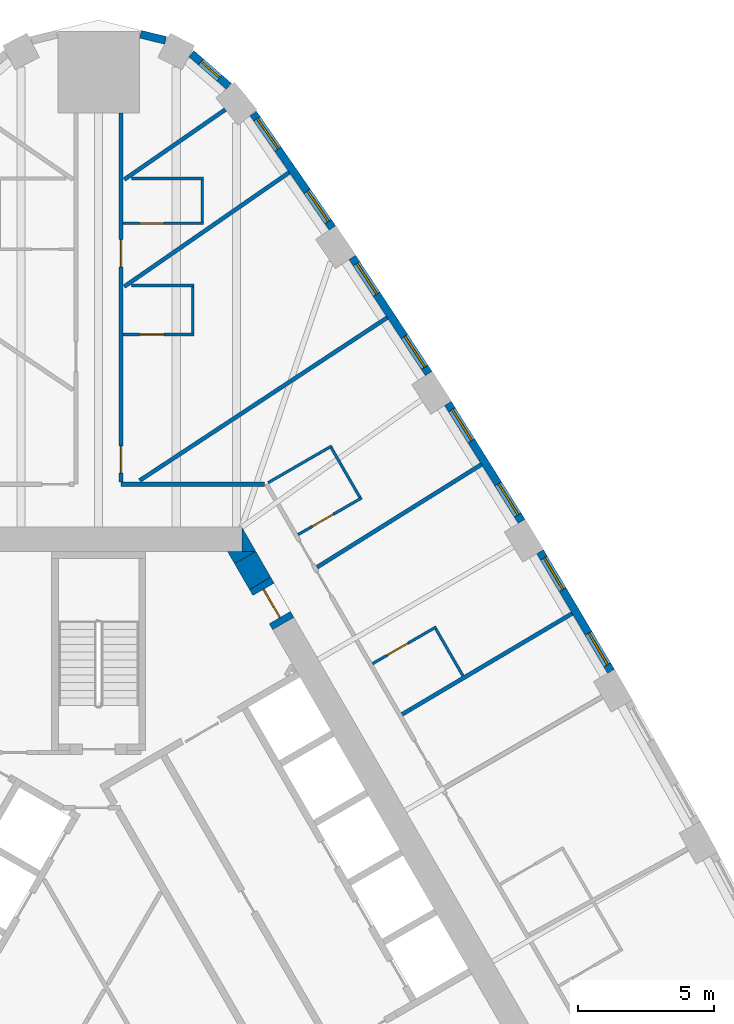
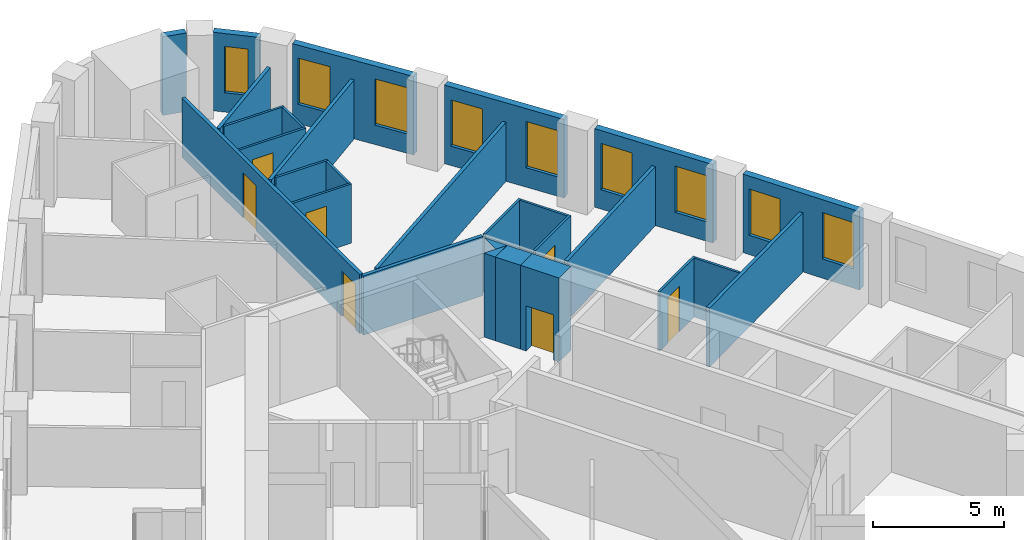
# One storey, part 11 of 13: 28 walls, 9 windows, 7 doors, 16 openings.
"""IFC4 building model written with IfcOpenShell, lengths in metres."""

from ifc_helpers import new_model, si_unit, direction, frame, frame_2d, origin, place, context, subcontext, project, spatial, polyline, rectangle, outline, extrude, material, layer, layer_set, type_object, element, fill, save


model = new_model("IFC4")

# Units and contexts
model_context = context("Model", 3, precision=1e-05, world=origin(), true_north=direction((0.0, 1.0)))
body_context = subcontext(model_context, "Body", "Model", "MODEL_VIEW")
ifc_project = project(units=[si_unit("LENGTHUNIT", "METRE"), si_unit("AREAUNIT", "SQUARE_METRE"), si_unit("VOLUMEUNIT", "CUBIC_METRE"), si_unit("PLANEANGLEUNIT", "RADIAN"), si_unit("MASSUNIT", "GRAM", prefix="KILO")], contexts=[model_context])

# Site, building, storey
site_placement = place(None, origin())
site = spatial("IfcSite", under=ifc_project, at=site_placement, CompositionType="ELEMENT")
building_placement = place(site_placement, origin())
building = spatial("IfcBuilding", under=site, at=building_placement, Name="Mestral Congress Tower", CompositionType="ELEMENT")
storey_placement = place(building_placement, frame((0.0, 0.0, 114.89990234375)))
storey = spatial("IfcBuildingStorey", under=building, at=storey_placement, Name="L27", CompositionType="ELEMENT", Elevation=114.89990234375)

# Walls
ifc_material_1 = material(Name="Concrete C60/75", Category="concrete")
ifc_layer_1 = layer(ifc_material_1, 0.89990234375)
ifc_layer_set_1 = layer_set([ifc_layer_1], Name="Concrete C60/75")
wall_type_1 = type_object("IfcWallType", Name="Core wall RC 900", PredefinedType="SOLIDWALL", material=ifc_layer_set_1)
placement = place(storey_placement, origin())
element("IfcWall", 1, at=placement, inside=storey, type_object=wall_type_1, Name="L27 core wall", PredefinedType="SOLIDWALL", context=body_context, shape_type="SweptSolid", body=[
    extrude(outline(polyline([(5.265380859375, 16.0), (5.265380859375, 16.8798828125), (5.7734375, 16.0), (5.265380859375, 16.0)])), origin(), (0.0, 0.0, 1.0), 3.900146484375),
])
wall_2_placement = place(storey_placement, frame((5.92578125, 14.836181640625, 0.0), z_axis=(0.0, 0.0, 1.0), x_axis=(-0.500076735116, 0.865981096212, 0.0)))
element("IfcWall", 2, at=wall_2_placement, inside=storey, type_object=wall_type_1, Name="L27 core wall", PredefinedType="SOLIDWALL", context=body_context, shape_type="SweptSolid", body=[
    extrude(rectangle(XDim=1.093505859375, YDim=0.89990234375, at=frame_2d((0.546875, 0.0))), origin(), (0.0, 0.0, 1.0), 3.900146484375),
])
element("IfcWall", 3, at=placement, inside=storey, type_object=wall_type_1, Name="L27 core wall", PredefinedType="SOLIDWALL", context=body_context, shape_type="SweptSolid", body=[
    extrude(outline(polyline([(4.734375, 16.0), (5.750244140625, 16.0), (4.98828125, 15.56005859375), (4.734375, 16.0)])), origin(), (0.0, 0.0, 1.0), 3.900146484375),
])

# Wall, opening, door
wall_4_placement = place(storey_placement, frame((5.92578125, 14.836181640625, 0.0), z_axis=(0.0, 0.0, 1.0), x_axis=(0.500062241894, -0.865989465428, 0.0)))
wall_4 = element("IfcWall", 4, at=wall_4_placement, inside=storey, type_object=wall_type_1, Name="L27 door wall", PredefinedType="SOLIDWALL", context=body_context, shape_type="SweptSolid", body=[
    extrude(rectangle(XDim=1.699951171875, YDim=0.89990234375, at=frame_2d((0.85009765625, 0.0))), origin(), (0.0, 0.0, 1.0), 3.900146484375),
])
opening_1_placement = place(wall_4_placement, frame((0.25, 0.0, 0.0)))
opening_1 = element("IfcOpeningElement", 5, at=opening_1_placement, cuts=wall_4, Name="Opening XD2", PredefinedType="OPENING", context=body_context, shape_type="SweptSolid", body=[
    extrude(rectangle(XDim=1.199951171875, YDim=2.10009765625, at=frame_2d((0.60009765625, 1.050048828125))), frame((0.0, 0.4599609375, 0.0), z_axis=(0.0, -1.0, 0.0), x_axis=(1.0, 0.0, 0.0)), (0.0, 0.0, 1.0), 0.919921875),
])
ifc_material_2 = material(Name="Fire-rated steel door set", Category="steel")
door_type_1 = type_object("IfcDoorType", Name="Core door XD 1200x2100", OperationType="SINGLE_SWING_LEFT", PredefinedType="DOOR", material=ifc_material_2)
door_1_placement = place(opening_1_placement, origin())
door_1 = element("IfcDoor", 6, at=door_1_placement, inside=storey, type_object=door_type_1, Name="Door XD2", OperationType="SINGLE_SWING_LEFT", OverallHeight=2.10009765625, OverallWidth=1.199951171875, PredefinedType="DOOR", context=body_context, shape_type="SweptSolid", body=[
    extrude(rectangle(XDim=1.199951171875, YDim=2.10009765625, at=frame_2d((0.60009765625, 1.050048828125))), frame((0.0, 0.02490234375, 0.0), z_axis=(0.0, -1.0, 0.0), x_axis=(1.0, 0.0, 0.0)), (0.0, 0.0, 1.0), 0.050048828125),
])
fill(opening_1, door_1)

# Wall, openings, windows
ifc_material_3 = material(Name="Precast concrete C40/50 with limestone facing", Category="masonry")
ifc_layer_2 = layer(ifc_material_3, 0.2900390625)
ifc_layer_set_2 = layer_set([ifc_layer_2], Name="Precast concrete C40/50 with limestone facing")
wall_type_2 = type_object("IfcWallType", Name="Facade stone wall 290", PredefinedType="SOLIDWALL", material=ifc_layer_set_2)
wall_5_placement = place(storey_placement, frame((18.8046875, 11.611083984375, 0.0), z_axis=(0.0, 0.0, 1.0), x_axis=(-0.510054281659, 0.860142214847, 0.0)))
wall_5 = element("IfcWall", 7, at=wall_5_placement, inside=storey, type_object=wall_type_2, Name="Facade wall F1-04", PredefinedType="SOLIDWALL", context=body_context, shape_type="SweptSolid", body=[
    extrude(rectangle(XDim=5.1005859375, YDim=0.2900390625, at=frame_2d((2.55029296875, 0.0))), origin(), (0.0, 0.0, 1.0), 3.650146484375),
])
opening_2_placement = place(wall_5_placement, frame((0.272705078125, 0.0, 0.89990234375)))
opening_2 = element("IfcOpeningElement", 8, at=opening_2_placement, cuts=wall_5, Name="Opening W2", PredefinedType="OPENING", context=body_context, shape_type="SweptSolid", body=[
    extrude(rectangle(XDim=1.35009765625, YDim=2.14990234375, at=frame_2d((0.675048828125, 1.074951171875))), frame((0.0, 0.155029296875, 0.0), z_axis=(0.0, -1.0, 0.0), x_axis=(1.0, 0.0, 0.0)), (0.0, 0.0, 1.0), 0.31005859375),
])
opening_3_placement = place(wall_5_placement, frame((3.477783203125, 0.0, 0.89990234375)))
opening_3 = element("IfcOpeningElement", 9, at=opening_3_placement, cuts=wall_5, Name="Opening W2", PredefinedType="OPENING", context=body_context, shape_type="SweptSolid", body=[
    extrude(rectangle(XDim=1.35009765625, YDim=2.14990234375, at=frame_2d((0.675048828125, 1.074951171875))), frame((0.0, 0.155029296875, 0.0), z_axis=(0.0, -1.0, 0.0), x_axis=(1.0, 0.0, 0.0)), (0.0, 0.0, 1.0), 0.31005859375),
])
ifc_material_4 = material(Name="Clear low-emissivity double glazing", Category="glass")
window_type_1 = type_object("IfcWindowType", Name="Facade punched window 1350 x 2150 sill 900", PartitioningType="DOUBLE_PANEL_VERTICAL", PredefinedType="WINDOW", material=ifc_material_4)
window_1_placement = place(opening_2_placement, origin())
window_1 = element("IfcWindow", 10, at=window_1_placement, inside=storey, type_object=window_type_1, Name="Window F1-04a", OverallHeight=2.14990234375, OverallWidth=1.35009765625, PartitioningType="DOUBLE_PANEL_VERTICAL", PredefinedType="WINDOW", context=body_context, shape_type="SweptSolid", body=[
    extrude(rectangle(XDim=1.35009765625, YDim=2.14990234375, at=frame_2d((0.675048828125, 1.074951171875))), frame((0.0, 0.01513671875, 0.0), z_axis=(0.0, -1.0, 0.0), x_axis=(1.0, 0.0, 0.0)), (0.0, 0.0, 1.0), 0.06005859375),
])
fill(opening_2, window_1)
window_2_placement = place(opening_3_placement, origin())
window_2 = element("IfcWindow", 11, at=window_2_placement, inside=storey, type_object=window_type_1, Name="Window F1-04b", OverallHeight=2.14990234375, OverallWidth=1.35009765625, PartitioningType="DOUBLE_PANEL_VERTICAL", PredefinedType="WINDOW", context=body_context, shape_type="SweptSolid", body=[
    extrude(rectangle(XDim=1.35009765625, YDim=2.14990234375, at=frame_2d((0.675048828125, 1.074951171875))), frame((0.0, 0.01513671875, 0.0), z_axis=(0.0, -1.0, 0.0), x_axis=(1.0, 0.0, 0.0)), (0.0, 0.0, 1.0), 0.06005859375),
])
fill(opening_3, window_2)

wall_6_placement = place(storey_placement, frame((15.523681640625, 17.114013671875, 0.0), z_axis=(0.0, 0.0, 1.0), x_axis=(-0.530072082134, 0.847952585787, 0.0)))
wall_6 = element("IfcWall", 12, at=wall_6_placement, inside=storey, type_object=wall_type_2, Name="Facade wall F1-05", PredefinedType="SOLIDWALL", context=body_context, shape_type="SweptSolid", body=[
    extrude(rectangle(XDim=5.100341796875, YDim=0.2900390625, at=frame_2d((2.55029296875, 0.0))), origin(), (0.0, 0.0, 1.0), 3.650146484375),
])
opening_4_placement = place(wall_6_placement, frame((0.272705078125, 0.0, 0.89990234375)))
opening_4 = element("IfcOpeningElement", 13, at=opening_4_placement, cuts=wall_6, Name="Opening W2", PredefinedType="OPENING", context=body_context, shape_type="SweptSolid", body=[
    extrude(rectangle(XDim=1.35009765625, YDim=2.14990234375, at=frame_2d((0.675048828125, 1.074951171875))), frame((0.0, 0.155029296875, 0.0), z_axis=(0.0, -1.0, 0.0), x_axis=(1.0, 0.0, 0.0)), (0.0, 0.0, 1.0), 0.31005859375),
])
opening_5_placement = place(wall_6_placement, frame((3.477783203125, 0.0, 0.89990234375)))
opening_5 = element("IfcOpeningElement", 14, at=opening_5_placement, cuts=wall_6, Name="Opening W2", PredefinedType="OPENING", context=body_context, shape_type="SweptSolid", body=[
    extrude(rectangle(XDim=1.35009765625, YDim=2.14990234375, at=frame_2d((0.675048828125, 1.074951171875))), frame((0.0, 0.155029296875, 0.0), z_axis=(0.0, -1.0, 0.0), x_axis=(1.0, 0.0, 0.0)), (0.0, 0.0, 1.0), 0.31005859375),
])
window_3_placement = place(opening_4_placement, origin())
window_3 = element("IfcWindow", 15, at=window_3_placement, inside=storey, type_object=window_type_1, Name="Window F1-05a", OverallHeight=2.14990234375, OverallWidth=1.35009765625, PartitioningType="DOUBLE_PANEL_VERTICAL", PredefinedType="WINDOW", context=body_context, shape_type="SweptSolid", body=[
    extrude(rectangle(XDim=1.35009765625, YDim=2.14990234375, at=frame_2d((0.675048828125, 1.074951171875))), frame((0.0, 0.01513671875, 0.0), z_axis=(0.0, -1.0, 0.0), x_axis=(1.0, 0.0, 0.0)), (0.0, 0.0, 1.0), 0.06005859375),
])
fill(opening_4, window_3)
window_4_placement = place(opening_5_placement, origin())
window_4 = element("IfcWindow", 16, at=window_4_placement, inside=storey, type_object=window_type_1, Name="Window F1-05b", OverallHeight=2.14990234375, OverallWidth=1.35009765625, PartitioningType="DOUBLE_PANEL_VERTICAL", PredefinedType="WINDOW", context=body_context, shape_type="SweptSolid", body=[
    extrude(rectangle(XDim=1.35009765625, YDim=2.14990234375, at=frame_2d((0.675048828125, 1.074951171875))), frame((0.0, 0.01513671875, 0.0), z_axis=(0.0, -1.0, 0.0), x_axis=(1.0, 0.0, 0.0)), (0.0, 0.0, 1.0), 0.06005859375),
])
fill(opening_5, window_4)

wall_7_placement = place(storey_placement, frame((12.114501953125, 22.538818359375, 0.0), z_axis=(0.0, 0.0, 1.0), x_axis=(-0.549741341923, 0.835334937005, 0.0)))
wall_7 = element("IfcWall", 17, at=wall_7_placement, inside=storey, type_object=wall_type_2, Name="Facade wall F1-06", PredefinedType="SOLIDWALL", context=body_context, shape_type="SweptSolid", body=[
    extrude(rectangle(XDim=5.10009765625, YDim=0.2900390625, at=frame_2d((2.550048828125, 0.0))), origin(), (0.0, 0.0, 1.0), 3.650146484375),
])
opening_6_placement = place(wall_7_placement, frame((0.272705078125, 0.0, 0.89990234375)))
opening_6 = element("IfcOpeningElement", 18, at=opening_6_placement, cuts=wall_7, Name="Opening W2", PredefinedType="OPENING", context=body_context, shape_type="SweptSolid", body=[
    extrude(rectangle(XDim=1.35009765625, YDim=2.14990234375, at=frame_2d((0.675048828125, 1.074951171875))), frame((0.0, 0.155029296875, 0.0), z_axis=(0.0, -1.0, 0.0), x_axis=(1.0, 0.0, 0.0)), (0.0, 0.0, 1.0), 0.31005859375),
])
opening_7_placement = place(wall_7_placement, frame((3.477783203125, 0.0, 0.89990234375)))
opening_7 = element("IfcOpeningElement", 19, at=opening_7_placement, cuts=wall_7, Name="Opening W2", PredefinedType="OPENING", context=body_context, shape_type="SweptSolid", body=[
    extrude(rectangle(XDim=1.35009765625, YDim=2.14990234375, at=frame_2d((0.675048828125, 1.074951171875))), frame((0.0, 0.155029296875, 0.0), z_axis=(0.0, -1.0, 0.0), x_axis=(1.0, 0.0, 0.0)), (0.0, 0.0, 1.0), 0.31005859375),
])
window_5_placement = place(opening_6_placement, origin())
window_5 = element("IfcWindow", 20, at=window_5_placement, inside=storey, type_object=window_type_1, Name="Window F1-06a", OverallHeight=2.14990234375, OverallWidth=1.35009765625, PartitioningType="DOUBLE_PANEL_VERTICAL", PredefinedType="WINDOW", context=body_context, shape_type="SweptSolid", body=[
    extrude(rectangle(XDim=1.35009765625, YDim=2.14990234375, at=frame_2d((0.675048828125, 1.074951171875))), frame((0.0, 0.01513671875, 0.0), z_axis=(0.0, -1.0, 0.0), x_axis=(1.0, 0.0, 0.0)), (0.0, 0.0, 1.0), 0.06005859375),
])
fill(opening_6, window_5)
window_6_placement = place(opening_7_placement, origin())
window_6 = element("IfcWindow", 21, at=window_6_placement, inside=storey, type_object=window_type_1, Name="Window F1-06b", OverallHeight=2.14990234375, OverallWidth=1.35009765625, PartitioningType="DOUBLE_PANEL_VERTICAL", PredefinedType="WINDOW", context=body_context, shape_type="SweptSolid", body=[
    extrude(rectangle(XDim=1.35009765625, YDim=2.14990234375, at=frame_2d((0.675048828125, 1.074951171875))), frame((0.0, 0.01513671875, 0.0), z_axis=(0.0, -1.0, 0.0), x_axis=(1.0, 0.0, 0.0)), (0.0, 0.0, 1.0), 0.06005859375),
])
fill(opening_7, window_6)

wall_8_placement = place(storey_placement, frame((8.57958984375, 27.882080078125, 0.0), z_axis=(0.0, 0.0, 1.0), x_axis=(-0.569113019126, 0.822259309136, 0.0)))
wall_8 = element("IfcWall", 22, at=wall_8_placement, inside=storey, type_object=wall_type_2, Name="Facade wall F1-07", PredefinedType="SOLIDWALL", context=body_context, shape_type="SweptSolid", body=[
    extrude(rectangle(XDim=5.106689453125, YDim=0.2900390625, at=frame_2d((2.55322265625, 0.0))), origin(), (0.0, 0.0, 1.0), 3.650146484375),
])
opening_8_placement = place(wall_8_placement, frame((0.285400390625, 0.0, 0.89990234375)))
opening_8 = element("IfcOpeningElement", 23, at=opening_8_placement, cuts=wall_8, Name="Opening W2", PredefinedType="OPENING", context=body_context, shape_type="SweptSolid", body=[
    extrude(rectangle(XDim=1.35009765625, YDim=2.14990234375, at=frame_2d((0.675048828125, 1.074951171875))), frame((0.0, 0.155029296875, 0.0), z_axis=(0.0, -1.0, 0.0), x_axis=(1.0, 0.0, 0.0)), (0.0, 0.0, 1.0), 0.31005859375),
])
opening_9_placement = place(wall_8_placement, frame((3.516357421875, 0.0, 0.89990234375)))
opening_9 = element("IfcOpeningElement", 24, at=opening_9_placement, cuts=wall_8, Name="Opening W2", PredefinedType="OPENING", context=body_context, shape_type="SweptSolid", body=[
    extrude(rectangle(XDim=1.35009765625, YDim=2.14990234375, at=frame_2d((0.675048828125, 1.074951171875))), frame((0.0, 0.155029296875, 0.0), z_axis=(0.0, -1.0, 0.0), x_axis=(1.0, 0.0, 0.0)), (0.0, 0.0, 1.0), 0.31005859375),
])
window_7_placement = place(opening_8_placement, origin())
window_7 = element("IfcWindow", 25, at=window_7_placement, inside=storey, type_object=window_type_1, Name="Window F1-07a", OverallHeight=2.14990234375, OverallWidth=1.35009765625, PartitioningType="DOUBLE_PANEL_VERTICAL", PredefinedType="WINDOW", context=body_context, shape_type="SweptSolid", body=[
    extrude(rectangle(XDim=1.35009765625, YDim=2.14990234375, at=frame_2d((0.675048828125, 1.074951171875))), frame((0.0, 0.01513671875, 0.0), z_axis=(0.0, -1.0, 0.0), x_axis=(1.0, 0.0, 0.0)), (0.0, 0.0, 1.0), 0.06005859375),
])
fill(opening_8, window_7)
window_8_placement = place(opening_9_placement, origin())
window_8 = element("IfcWindow", 26, at=window_8_placement, inside=storey, type_object=window_type_1, Name="Window F1-07b", OverallHeight=2.14990234375, OverallWidth=1.35009765625, PartitioningType="DOUBLE_PANEL_VERTICAL", PredefinedType="WINDOW", context=body_context, shape_type="SweptSolid", body=[
    extrude(rectangle(XDim=1.35009765625, YDim=2.14990234375, at=frame_2d((0.675048828125, 1.074951171875))), frame((0.0, 0.01513671875, 0.0), z_axis=(0.0, -1.0, 0.0), x_axis=(1.0, 0.0, 0.0)), (0.0, 0.0, 1.0), 0.06005859375),
])
fill(opening_9, window_8)

# Wall, opening, window
wall_9_placement = place(storey_placement, frame((4.778076171875, 33.08203125, 0.0), z_axis=(0.0, 0.0, 1.0), x_axis=(-0.754882764627, 0.655859749999, 0.0)))
wall_9 = element("IfcWall", 27, at=wall_9_placement, inside=storey, type_object=wall_type_2, Name="Facade wall K1-0", PredefinedType="SOLIDWALL", context=body_context, shape_type="SweptSolid", body=[
    extrude(rectangle(XDim=1.819580078125, YDim=0.2900390625, at=frame_2d((0.90966796875, 0.0))), origin(), (0.0, 0.0, 1.0), 3.650146484375),
])
opening_10_placement = place(wall_9_placement, frame((0.459716796875, 0.0, 0.89990234375)))
opening_10 = element("IfcOpeningElement", 28, at=opening_10_placement, cuts=wall_9, Name="Opening W3", PredefinedType="OPENING", context=body_context, shape_type="SweptSolid", body=[
    extrude(rectangle(XDim=0.89990234375, YDim=2.14990234375, at=frame_2d((0.449951171875, 1.074951171875))), frame((0.0, 0.155029296875, 0.0), z_axis=(0.0, -1.0, 0.0), x_axis=(1.0, 0.0, 0.0)), (0.0, 0.0, 1.0), 0.31005859375),
])
window_type_2 = type_object("IfcWindowType", Name="Facade punched window 900 x 2150 sill 900", PartitioningType="SINGLE_PANEL", PredefinedType="WINDOW", material=ifc_material_4)
window_9_placement = place(opening_10_placement, origin())
window_9 = element("IfcWindow", 29, at=window_9_placement, inside=storey, type_object=window_type_2, Name="Window K1-0", OverallHeight=2.14990234375, OverallWidth=0.89990234375, PartitioningType="SINGLE_PANEL", PredefinedType="WINDOW", context=body_context, shape_type="SweptSolid", body=[
    extrude(rectangle(XDim=0.89990234375, YDim=2.14990234375, at=frame_2d((0.449951171875, 1.074951171875))), frame((0.0, 0.01513671875, 0.0), z_axis=(0.0, -1.0, 0.0), x_axis=(1.0, 0.0, 0.0)), (0.0, 0.0, 1.0), 0.06005859375),
])
fill(opening_10, window_9)

# Wall
wall_10_placement = place(storey_placement, frame((2.455322265625, 34.765625, 0.0), z_axis=(0.0, 0.0, 1.0), x_axis=(-0.971713991574, 0.236160789674, 0.0)))
element("IfcWall", 30, at=wall_10_placement, inside=storey, type_object=wall_type_2, Name="Facade wall K1-1", PredefinedType="SOLIDWALL", context=body_context, shape_type="SweptSolid", body=[
    extrude(rectangle(XDim=0.947021484375, YDim=0.2900390625, at=frame_2d((0.4736328125, 0.0))), origin(), (0.0, 0.0, 1.0), 3.650146484375),
])

# Wall, opening, door
ifc_material_5 = material(Name="Gypsum board partition on metal studs with mineral wool", Category="composite")
ifc_layer_3 = layer(ifc_material_5, 0.10009765625)
ifc_layer_set_3 = layer_set([ifc_layer_3], Name="Gypsum board partition on metal studs with mineral wool")
wall_type_3 = type_object("IfcWallType", Name="Hotel partition wall 100", PredefinedType="PARTITIONING", material=ifc_layer_set_3)
wall_11_placement = place(storey_placement, frame((12.390380859375, 13.239013671875, 0.0), z_axis=(0.0, 0.0, 1.0), x_axis=(-0.866036505625, -0.499980770555, 0.0)))
wall_11 = element("IfcWall", 31, at=wall_11_placement, inside=storey, type_object=wall_type_3, Name="L27-h-pod13a", PredefinedType="PARTITIONING", context=body_context, shape_type="SweptSolid", body=[
    extrude(rectangle(XDim=2.69970703125, YDim=0.10009765625, at=frame_2d((1.349853515625, 0.0))), origin(), (0.0, 0.0, 1.0), 2.75),
])
opening_11_placement = place(wall_11_placement, frame((1.199951171875, 0.0, 0.0)))
opening_11 = element("IfcOpeningElement", 32, at=opening_11_placement, cuts=wall_11, Name="Opening H08-022", PredefinedType="OPENING", context=body_context, shape_type="SweptSolid", body=[
    extrude(rectangle(XDim=0.89990234375, YDim=2.10009765625, at=frame_2d((0.449951171875, 1.050048828125))), frame((0.0, 0.06005859375, 0.0), z_axis=(0.0, -1.0, 0.0), x_axis=(1.0, 0.0, 0.0)), (0.0, 0.0, 1.0), 0.1201171875),
])
ifc_material_6 = material(Name="Timber veneer door leaf in timber frame", Category="wood")
door_type_2 = type_object("IfcDoorType", Name="Bathroom door 900", OperationType="SINGLE_SWING_LEFT", PredefinedType="DOOR", material=ifc_material_6)
door_2_placement = place(opening_11_placement, origin())
door_2 = element("IfcDoor", 33, at=door_2_placement, inside=storey, type_object=door_type_2, Name="L27-h-d022", OperationType="SINGLE_SWING_LEFT", OverallHeight=2.10009765625, OverallWidth=0.89990234375, PredefinedType="DOOR", context=body_context, shape_type="SweptSolid", body=[
    extrude(rectangle(XDim=0.89990234375, YDim=2.10009765625, at=frame_2d((0.449951171875, 1.050048828125))), frame((0.0, 0.02490234375, 0.0), z_axis=(0.0, -1.0, 0.0), x_axis=(1.0, 0.0, 0.0)), (0.0, 0.0, 1.0), 0.050048828125),
])
fill(opening_11, door_2)

# Wall
wall_12_placement = place(storey_placement, frame((12.3720703125, 13.1708984375, 0.0), z_axis=(0.0, 0.0, 1.0), x_axis=(0.500044573643, -0.86599966765, 0.0)))
element("IfcWall", 34, at=wall_12_placement, inside=storey, type_object=wall_type_3, Name="L27-h-pod13b", PredefinedType="PARTITIONING", context=body_context, shape_type="SweptSolid", body=[
    extrude(rectangle(XDim=1.989990234375, YDim=0.10009765625, at=frame_2d((0.9951171875, 0.0))), origin(), (0.0, 0.0, 1.0), 2.75),
])

# Wall, opening, door
wall_13_placement = place(storey_placement, frame((7.318115234375, 16.62451171875, 0.0), z_axis=(0.0, 0.0, 1.0), x_axis=(0.866019956843, 0.50000943426, 0.0)))
wall_13 = element("IfcWall", 35, at=wall_13_placement, inside=storey, type_object=wall_type_3, Name="L27-h-pod14a", PredefinedType="PARTITIONING", context=body_context, shape_type="SweptSolid", body=[
    extrude(rectangle(XDim=2.7001953125, YDim=0.10009765625, at=frame_2d((1.35009765625, 0.0))), origin(), (0.0, 0.0, 1.0), 2.75),
])
opening_12_placement = place(wall_13_placement, frame((0.60009765625, 0.0, 0.0)))
opening_12 = element("IfcOpeningElement", 36, at=opening_12_placement, cuts=wall_13, Name="Opening H08-024", PredefinedType="OPENING", context=body_context, shape_type="SweptSolid", body=[
    extrude(rectangle(XDim=0.89990234375, YDim=2.10009765625, at=frame_2d((0.449951171875, 1.050048828125))), frame((0.0, 0.06005859375, 0.0), z_axis=(0.0, -1.0, 0.0), x_axis=(1.0, 0.0, 0.0)), (0.0, 0.0, 1.0), 0.1201171875),
])
door_3_placement = place(opening_12_placement, origin())
door_3 = element("IfcDoor", 37, at=door_3_placement, inside=storey, type_object=door_type_2, Name="L27-h-d024", OperationType="SINGLE_SWING_LEFT", OverallHeight=2.10009765625, OverallWidth=0.89990234375, PredefinedType="DOOR", context=body_context, shape_type="SweptSolid", body=[
    extrude(rectangle(XDim=0.89990234375, YDim=2.10009765625, at=frame_2d((0.449951171875, 1.050048828125))), frame((0.0, 0.02490234375, 0.0), z_axis=(0.0, -1.0, 0.0), x_axis=(1.0, 0.0, 0.0)), (0.0, 0.0, 1.0), 0.050048828125),
])
fill(opening_12, door_3)

# Walls
wall_14_placement = place(storey_placement, frame((9.588134765625, 17.992919921875, 0.0), z_axis=(0.0, 0.0, 1.0), x_axis=(-0.500027713859, 0.866009402589, 0.0)))
element("IfcWall", 38, at=wall_14_placement, inside=storey, type_object=wall_type_3, Name="L27-h-pod14b", PredefinedType="PARTITIONING", context=body_context, shape_type="SweptSolid", body=[
    extrude(rectangle(XDim=2.10009765625, YDim=0.10009765625, at=frame_2d((1.050048828125, 0.0))), origin(), (0.0, 0.0, 1.0), 2.75),
])
wall_15_placement = place(storey_placement, frame((6.21826171875, 18.52978515625, 0.0), z_axis=(0.0, 0.0, 1.0), x_axis=(0.86599734893, 0.500048589285, 0.0)))
element("IfcWall", 39, at=wall_15_placement, inside=storey, type_object=wall_type_3, Name="L27-h-pod14c", PredefinedType="PARTITIONING", context=body_context, shape_type="SweptSolid", body=[
    extrude(rectangle(XDim=2.699951171875, YDim=0.10009765625, at=frame_2d((1.35009765625, 0.0))), origin(), (0.0, 0.0, 1.0), 2.75),
])

# Wall, opening, door
wall_16_placement = place(storey_placement, frame((0.89990234375, 23.968994140625, 0.0), z_axis=(0.0, 0.0, 1.0), x_axis=(1.0, 0.0, 0.0)))
wall_16 = element("IfcWall", 40, at=wall_16_placement, inside=storey, type_object=wall_type_3, Name="L27-h-pod15a", PredefinedType="PARTITIONING", context=body_context, shape_type="SweptSolid", body=[
    extrude(rectangle(XDim=2.60009765625, YDim=0.10009765625, at=frame_2d((1.300048828125, 0.0))), origin(), (0.0, 0.0, 1.0), 2.75),
])
opening_13_placement = place(wall_16_placement, frame((0.60009765625, 0.0, 0.0)))
opening_13 = element("IfcOpeningElement", 41, at=opening_13_placement, cuts=wall_16, Name="Opening H08-026", PredefinedType="OPENING", context=body_context, shape_type="SweptSolid", body=[
    extrude(rectangle(XDim=0.89990234375, YDim=2.10009765625, at=frame_2d((0.449951171875, 1.050048828125))), frame((0.0, 0.06005859375, 0.0), z_axis=(0.0, -1.0, 0.0), x_axis=(1.0, 0.0, 0.0)), (0.0, 0.0, 1.0), 0.1201171875),
])
door_4_placement = place(opening_13_placement, origin())
door_4 = element("IfcDoor", 42, at=door_4_placement, inside=storey, type_object=door_type_2, Name="L27-h-d026", OperationType="SINGLE_SWING_RIGHT", OverallHeight=2.10009765625, OverallWidth=0.89990234375, PredefinedType="DOOR", context=body_context, shape_type="SweptSolid", body=[
    extrude(rectangle(XDim=0.89990234375, YDim=2.10009765625, at=frame_2d((0.449951171875, 1.050048828125))), frame((0.0, 0.02490234375, 0.0), z_axis=(0.0, -1.0, 0.0), x_axis=(1.0, 0.0, 0.0)), (0.0, 0.0, 1.0), 0.050048828125),
])
fill(opening_13, door_4)

# Walls
wall_17_placement = place(storey_placement, frame((3.449951171875, 24.01904296875, 0.0), z_axis=(0.0, 0.0, 1.0), x_axis=(0.0, 1.0, 0.0)))
element("IfcWall", 43, at=wall_17_placement, inside=storey, type_object=wall_type_3, Name="L27-h-pod15b", PredefinedType="PARTITIONING", context=body_context, shape_type="SweptSolid", body=[
    extrude(rectangle(XDim=1.699951171875, YDim=0.10009765625, at=frame_2d((0.85009765625, 0.0))), origin(), (0.0, 0.0, 1.0), 2.75),
])
wall_18_placement = place(storey_placement, frame((1.199951171875, 25.76904296875, 0.0), z_axis=(0.0, 0.0, 1.0), x_axis=(1.0, 0.0, 0.0)))
element("IfcWall", 44, at=wall_18_placement, inside=storey, type_object=wall_type_3, Name="L27-h-pod15c", PredefinedType="PARTITIONING", context=body_context, shape_type="SweptSolid", body=[
    extrude(rectangle(XDim=2.300048828125, YDim=0.10009765625, at=frame_2d((1.14990234375, 0.0))), origin(), (0.0, 0.0, 1.0), 2.75),
])

# Wall, opening, door
wall_19_placement = place(storey_placement, frame((0.89990234375, 28.048095703125, 0.0), z_axis=(0.0, 0.0, 1.0), x_axis=(1.0, 0.0, 0.0)))
wall_19 = element("IfcWall", 45, at=wall_19_placement, inside=storey, type_object=wall_type_3, Name="L27-h-pod16a", PredefinedType="PARTITIONING", context=body_context, shape_type="SweptSolid", body=[
    extrude(rectangle(XDim=2.9501953125, YDim=0.10009765625, at=frame_2d((1.47509765625, 0.0))), origin(), (0.0, 0.0, 1.0), 2.75),
])
opening_14_placement = place(wall_19_placement, frame((0.60009765625, 0.0, 0.0)))
opening_14 = element("IfcOpeningElement", 46, at=opening_14_placement, cuts=wall_19, Name="Opening H08-028", PredefinedType="OPENING", context=body_context, shape_type="SweptSolid", body=[
    extrude(rectangle(XDim=0.89990234375, YDim=2.10009765625, at=frame_2d((0.449951171875, 1.050048828125))), frame((0.0, 0.06005859375, 0.0), z_axis=(0.0, -1.0, 0.0), x_axis=(1.0, 0.0, 0.0)), (0.0, 0.0, 1.0), 0.1201171875),
])
door_5_placement = place(opening_14_placement, origin())
door_5 = element("IfcDoor", 47, at=door_5_placement, inside=storey, type_object=door_type_2, Name="L27-h-d028", OperationType="SINGLE_SWING_LEFT", OverallHeight=2.10009765625, OverallWidth=0.89990234375, PredefinedType="DOOR", context=body_context, shape_type="SweptSolid", body=[
    extrude(rectangle(XDim=0.89990234375, YDim=2.10009765625, at=frame_2d((0.449951171875, 1.050048828125))), frame((0.0, 0.02490234375, 0.0), z_axis=(0.0, -1.0, 0.0), x_axis=(1.0, 0.0, 0.0)), (0.0, 0.0, 1.0), 0.050048828125),
])
fill(opening_14, door_5)

# Walls
wall_20_placement = place(storey_placement, frame((3.800048828125, 28.09814453125, 0.0), z_axis=(0.0, 0.0, 1.0), x_axis=(0.0, 1.0, 0.0)))
element("IfcWall", 48, at=wall_20_placement, inside=storey, type_object=wall_type_3, Name="L27-h-pod16b", PredefinedType="PARTITIONING", context=body_context, shape_type="SweptSolid", body=[
    extrude(rectangle(XDim=1.550048828125, YDim=0.10009765625, at=frame_2d((0.77490234375, 0.0))), origin(), (0.0, 0.0, 1.0), 2.75),
])
wall_21_placement = place(storey_placement, frame((1.199951171875, 29.697998046875, 0.0), z_axis=(0.0, 0.0, 1.0), x_axis=(1.0, 0.0, 0.0)))
element("IfcWall", 49, at=wall_21_placement, inside=storey, type_object=wall_type_3, Name="L27-h-pod16c", PredefinedType="PARTITIONING", context=body_context, shape_type="SweptSolid", body=[
    extrude(rectangle(XDim=2.650146484375, YDim=0.10009765625, at=frame_2d((1.3251953125, 0.0))), origin(), (0.0, 0.0, 1.0), 2.75),
])
ifc_layer_4 = layer(ifc_material_5, 0.14990234375)
ifc_layer_set_4 = layer_set([ifc_layer_4], Name="Gypsum board partition on metal studs with mineral wool")
wall_type_4 = type_object("IfcWallType", Name="Hotel partition wall 150", PredefinedType="PARTITIONING", material=ifc_layer_set_4)
wall_22_placement = place(storey_placement, frame((0.824951171875, 18.47509765625, 0.0), z_axis=(0.0, 0.0, 1.0), x_axis=(1.0, 0.0, 0.0)))
element("IfcWall", 50, at=wall_22_placement, inside=storey, type_object=wall_type_4, Name="L27-h-cw04", PredefinedType="PARTITIONING", context=body_context, shape_type="SweptSolid", body=[
    extrude(rectangle(XDim=5.268310546875, YDim=0.14990234375, at=frame_2d((2.63427734375, 0.0))), origin(), (0.0, 0.0, 1.0), 2.75),
])

# Wall, openings, doors
wall_23_placement = place(storey_placement, frame((0.824951171875, 32.098388671875, 0.0), z_axis=(0.0, 0.0, 1.0), x_axis=(0.0, -1.0, 0.0)))
wall_23 = element("IfcWall", 51, at=wall_23_placement, inside=storey, type_object=wall_type_4, Name="L27-h-cw05", PredefinedType="PARTITIONING", context=body_context, shape_type="SweptSolid", body=[
    extrude(rectangle(XDim=13.54345703125, YDim=0.14990234375, at=frame_2d((6.771728515625, 0.0))), origin(), (0.0, 0.0, 1.0), 2.75),
])
opening_15_placement = place(wall_23_placement, frame((12.21337890625, 0.0, 0.0)))
opening_15 = element("IfcOpeningElement", 52, at=opening_15_placement, cuts=wall_23, Name="Opening H08-025", PredefinedType="OPENING", context=body_context, shape_type="SweptSolid", body=[
    extrude(rectangle(XDim=1.0, YDim=2.10009765625, at=frame_2d((0.5, 1.050048828125))), frame((0.0, 0.0849609375, 0.0), z_axis=(0.0, -1.0, 0.0), x_axis=(1.0, 0.0, 0.0)), (0.0, 0.0, 1.0), 0.169921875),
])
opening_16_placement = place(wall_23_placement, frame((4.650146484375, 0.0, 0.0)))
opening_16 = element("IfcOpeningElement", 53, at=opening_16_placement, cuts=wall_23, Name="Opening H08-027", PredefinedType="OPENING", context=body_context, shape_type="SweptSolid", body=[
    extrude(rectangle(XDim=1.0, YDim=2.10009765625, at=frame_2d((0.5, 1.050048828125))), frame((0.0, 0.0849609375, 0.0), z_axis=(0.0, -1.0, 0.0), x_axis=(1.0, 0.0, 0.0)), (0.0, 0.0, 1.0), 0.169921875),
])
ifc_material_7 = material(Name="Timber veneer door leaf in metal frame", Category="wood")
door_type_3 = type_object("IfcDoorType", Name="Guest room entrance door 1000", OperationType="SINGLE_SWING_LEFT", PredefinedType="DOOR", material=ifc_material_7)
door_6_placement = place(opening_15_placement, origin())
door_6 = element("IfcDoor", 54, at=door_6_placement, inside=storey, type_object=door_type_3, Name="L27-h-d025", OperationType="SINGLE_SWING_RIGHT", OverallHeight=2.10009765625, OverallWidth=1.0, PredefinedType="DOOR", context=body_context, shape_type="SweptSolid", body=[
    extrude(rectangle(XDim=1.0, YDim=2.10009765625, at=frame_2d((0.5, 1.050048828125))), frame((0.0, 0.02490234375, 0.0), z_axis=(0.0, -1.0, 0.0), x_axis=(1.0, 0.0, 0.0)), (0.0, 0.0, 1.0), 0.050048828125),
])
fill(opening_15, door_6)
door_7_placement = place(opening_16_placement, origin())
door_7 = element("IfcDoor", 55, at=door_7_placement, inside=storey, type_object=door_type_3, Name="L27-h-d027", OperationType="SINGLE_SWING_RIGHT", OverallHeight=2.10009765625, OverallWidth=1.0, PredefinedType="DOOR", context=body_context, shape_type="SweptSolid", body=[
    extrude(rectangle(XDim=1.0, YDim=2.10009765625, at=frame_2d((0.5, 1.050048828125))), frame((0.0, 0.02490234375, 0.0), z_axis=(0.0, -1.0, 0.0), x_axis=(1.0, 0.0, 0.0)), (0.0, 0.0, 1.0), 0.050048828125),
])
fill(opening_16, door_7)

# Walls
wall_24_placement = place(storey_placement, frame((6.994384765625, 29.91748046875, 0.0), z_axis=(0.0, 0.0, 1.0), x_axis=(-0.822255462494, -0.569118576747, 0.0)))
element("IfcWall", 56, at=wall_24_placement, inside=storey, type_object=wall_type_4, Name="L27-h-pw14", PredefinedType="PARTITIONING", context=body_context, shape_type="SweptSolid", body=[
    extrude(rectangle(XDim=7.36181640625, YDim=0.14990234375, at=frame_2d((3.680908203125, 0.0))), origin(), (0.0, 0.0, 1.0), 2.75),
])
wall_25_placement = place(storey_placement, frame((10.591552734375, 24.589111328125, 0.0), z_axis=(0.0, 0.0, 1.0), x_axis=(-0.835337323748, -0.549737715236, 0.0)))
element("IfcWall", 57, at=wall_25_placement, inside=storey, type_object=wall_type_4, Name="L27-h-pw15", PredefinedType="PARTITIONING", context=body_context, shape_type="SweptSolid", body=[
    extrude(rectangle(XDim=10.875244140625, YDim=0.14990234375, at=frame_2d((5.4375, 0.0))), origin(), (0.0, 0.0, 1.0), 2.75),
])
wall_26_placement = place(storey_placement, frame((4.649169921875, 32.223388671875, 0.0), z_axis=(0.0, 0.0, 1.0), x_axis=(-0.822262349475, -0.569108626394, 0.0)))
element("IfcWall", 58, at=wall_26_placement, inside=storey, type_object=wall_type_4, Name="L27-h-pw17", PredefinedType="PARTITIONING", context=body_context, shape_type="SweptSolid", body=[
    extrude(rectangle(XDim=4.509521484375, YDim=0.14990234375, at=frame_2d((2.2548828125, 0.0))), origin(), (0.0, 0.0, 1.0), 2.75),
])
wall_27_placement = place(storey_placement, frame((14.048828125, 19.19970703125, 0.0), z_axis=(0.0, 0.0, 1.0), x_axis=(-0.847955867271, -0.530066832731, 0.0)))
element("IfcWall", 59, at=wall_27_placement, inside=storey, type_object=wall_type_4, Name="L27-h-pw18", PredefinedType="PARTITIONING", context=body_context, shape_type="SweptSolid", body=[
    extrude(rectangle(XDim=7.111083984375, YDim=0.14990234375, at=frame_2d((3.5556640625, 0.0))), origin(), (0.0, 0.0, 1.0), 2.75),
])
wall_28_placement = place(storey_placement, frame((17.379150390625, 13.730712890625, 0.0), z_axis=(0.0, 0.0, 1.0), x_axis=(-0.860132461691, -0.510070728768, 0.0)))
element("IfcWall", 60, at=wall_28_placement, inside=storey, type_object=wall_type_4, Name="L27-h-pw19", PredefinedType="PARTITIONING", context=body_context, shape_type="SweptSolid", body=[
    extrude(rectangle(XDim=7.256591796875, YDim=0.14990234375, at=frame_2d((3.62841796875, 0.0))), origin(), (0.0, 0.0, 1.0), 2.75),
])

save(model, "model.ifc")
